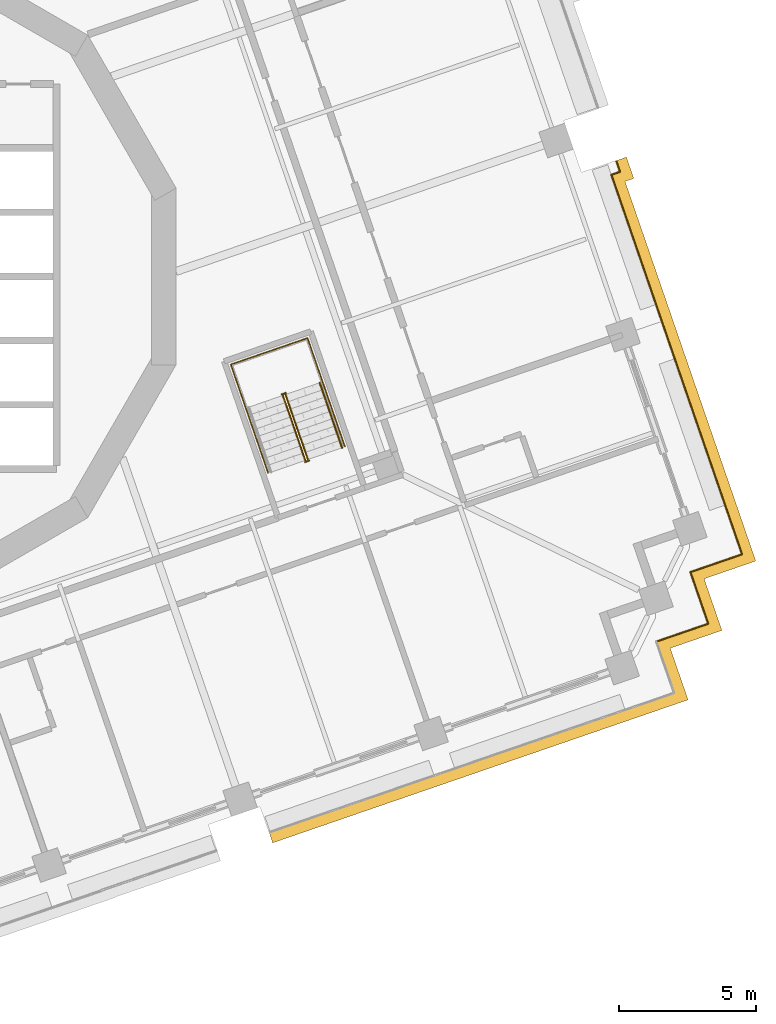
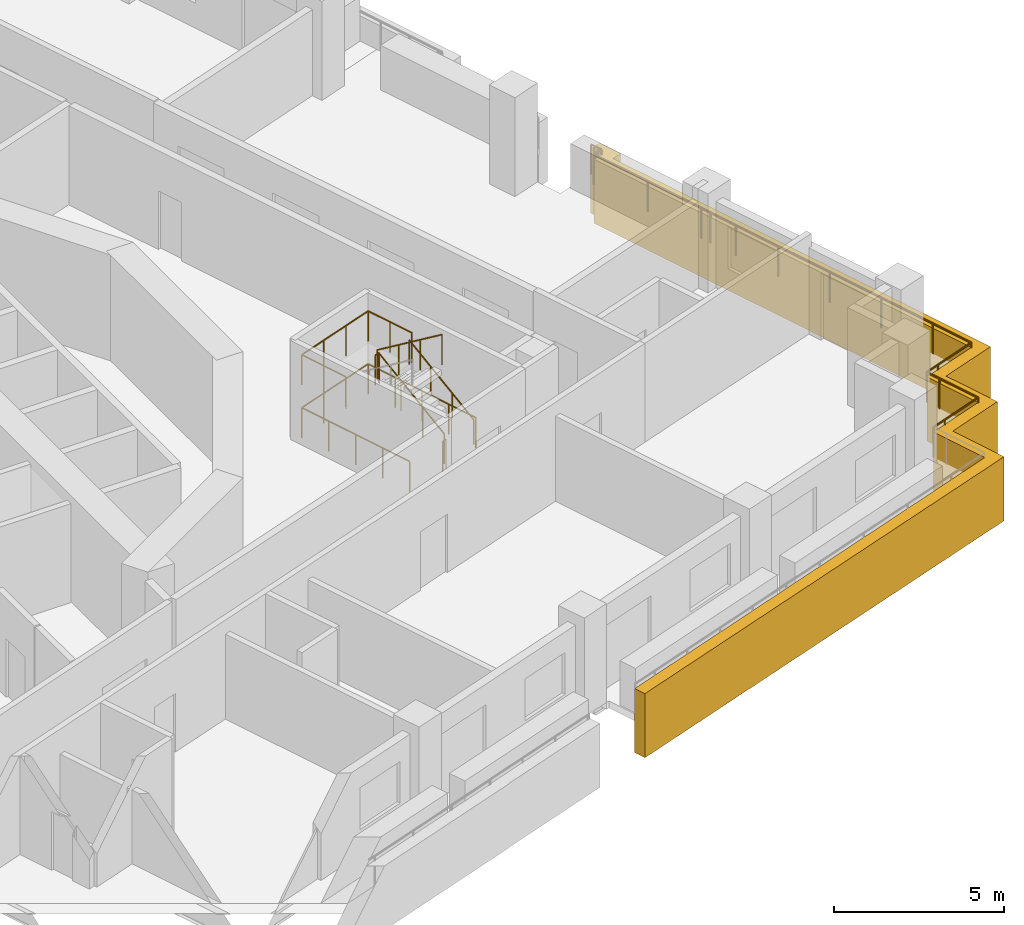
# One storey, part 15 of 19: 7 railings, 1 covering.
"""IFC4 building model written with IfcOpenShell, lengths in metres."""

from ifc_helpers import new_model, si_unit, direction, frame, origin, origin_2d, place, context, subcontext, project, spatial, polyline, circle, outline, extrude, material, type_object, element, save


model = new_model("IFC4")

# Units and contexts
model_context = context("Model", 3, precision=1e-05, world=origin(), true_north=direction((0.0, 1.0)))
body_context = subcontext(model_context, "Body", "Model", "MODEL_VIEW")
ifc_project = project(units=[si_unit("LENGTHUNIT", "METRE"), si_unit("AREAUNIT", "SQUARE_METRE"), si_unit("VOLUMEUNIT", "CUBIC_METRE"), si_unit("PLANEANGLEUNIT", "RADIAN"), si_unit("MASSUNIT", "GRAM", prefix="KILO")], contexts=[model_context])

# Site, building, storey
site_placement = place(None, origin())
site = spatial("IfcSite", under=ifc_project, at=site_placement, CompositionType="ELEMENT")
building_placement = place(site_placement, origin())
building = spatial("IfcBuilding", under=site, at=building_placement, Name="Cantera Rosa Tower", CompositionType="ELEMENT")
storey_placement = place(building_placement, frame((0.0, 0.0, 111.699951171875)))
storey = spatial("IfcBuildingStorey", under=building, at=storey_placement, Name="L22", CompositionType="ELEMENT", Elevation=111.699951171875)

# Railings
ifc_material_1 = material(Name="Stainless steel and laminated glass", Category="steel")
railing_type_1 = type_object("IfcRailingType", Name="GUARD 1100", PredefinedType="BALUSTRADE", material=ifc_material_1)
railing_1_placement = place(storey_placement, frame((28.19873046875, 4.220458984375, 0.0)))
element("IfcRailing", 1, at=railing_1_placement, inside=storey, type_object=railing_type_1, Name="GUARD L22-11", PredefinedType="BALUSTRADE", context=body_context, shape_type="SweptSolid", body=[
    extrude(circle(Radius=0.030029296875, at=origin_2d()), frame((0.0, 0.0, 1.070068359375), z_axis=(0.325990683319, -0.945372981626, 0.0), x_axis=(0.945372981626, 0.325990683319, 0.0)), (0.0, 0.0, 1.0), 0.119873046875),
    extrude(circle(Radius=0.030029296875, at=origin_2d()), frame((0.0390625, -0.11328125, 1.070068359375), z_axis=(0.325329542318, -0.945600702673, 0.0), x_axis=(0.945600702673, 0.325329542318, 0.0)), (0.0, 0.0, 1.0), 0.136474609375),
    extrude(circle(Radius=0.030029296875, at=origin_2d()), frame((0.08349609375, -0.242431640625, 1.070068359375), z_axis=(0.325489086777, -0.945545797087, 0.0), x_axis=(0.945545797087, 0.325489086777, 0.0)), (0.0, 0.0, 1.0), 0.14990234375),
    extrude(circle(Radius=0.030029296875, at=origin_2d()), frame((0.13232421875, -0.38427734375, 1.070068359375), z_axis=(-0.945640474278, -0.325213919454, 0.0), x_axis=(0.325213919454, -0.945640474278, 0.0)), (0.0, 0.0, 1.0), 0.203369140625),
    extrude(circle(Radius=0.030029296875, at=origin_2d()), frame((-0.06005859375, -0.450439453125, 1.070068359375), z_axis=(-0.945232545, -0.326397665239, 0.0), x_axis=(0.326397665239, -0.945232545, 0.0)), (0.0, 0.0, 1.0), 0.12939453125),
    extrude(circle(Radius=0.030029296875, at=origin_2d()), frame((-0.182373046875, -0.49267578125, 1.070068359375), z_axis=(-0.933345606203, -0.358979079309, 0.0), x_axis=(0.358979079309, -0.933345606203, 0.0)), (0.0, 0.0, 1.0), 0.00341796875),
    extrude(circle(Radius=0.030029296875, at=origin_2d()), frame((-0.185546875, -0.493896484375, 1.070068359375), z_axis=(0.242535625036, -0.970142500145, 0.0), x_axis=(0.970142500145, 0.242535625036, 0.0)), (0.0, 0.0, 1.0), 0.0029296875),
    extrude(circle(Radius=0.030029296875, at=origin_2d()), frame((-0.184814453125, -0.496826171875, 1.070068359375), z_axis=(0.32558569415, -0.945512536017, 0.0), x_axis=(0.945512536017, 0.32558569415, 0.0)), (0.0, 0.0, 1.0), 4.180419921875),
    extrude(circle(Radius=0.030029296875, at=origin_2d()), frame((1.17626953125, -4.449462890625, 1.070068359375), z_axis=(0.325543329663, -0.945527123097, 0.0), x_axis=(0.945527123097, 0.325543329663, 0.0)), (0.0, 0.0, 1.0), 0.353271484375),
    extrude(circle(Radius=0.030029296875, at=origin_2d()), frame((1.291259765625, -4.783447265625, 1.070068359375), z_axis=(0.325545250672, -0.945526461695, 0.0), x_axis=(0.945526461695, 0.325545250672, 0.0)), (0.0, 0.0, 1.0), 0.99658203125),
    extrude(circle(Radius=0.030029296875, at=origin_2d()), frame((1.61572265625, -5.725830078125, 1.070068359375), z_axis=(0.4472135955, -0.894427191, 0.0), x_axis=(0.894427191, 0.4472135955, 0.0)), (0.0, 0.0, 1.0), 0.00048828125),
    extrude(circle(Radius=0.030029296875, at=origin_2d()), frame((1.615966796875, -5.726318359375, 1.070068359375), z_axis=(0.325493414498, -0.945544307327, 0.0), x_axis=(0.945544307327, 0.325493414498, 0.0)), (0.0, 0.0, 1.0), 1.6494140625),
    extrude(circle(Radius=0.030029296875, at=origin_2d()), frame((2.15283203125, -7.285888671875, 1.070068359375), z_axis=(0.325568215952, -0.945518554425, 0.0), x_axis=(0.945518554425, 0.325568215952, 0.0)), (0.0, 0.0, 1.0), 6.02001953125),
    extrude(circle(Radius=0.030029296875, at=origin_2d()), frame((4.11279296875, -12.97802734375, 1.070068359375), z_axis=(0.325539181077, -0.945528551438, 0.0), x_axis=(0.945528551438, 0.325539181077, 0.0)), (0.0, 0.0, 1.0), 1.5),
    extrude(circle(Radius=0.030029296875, at=origin_2d()), frame((4.60107421875, -14.396240234375, 1.070068359375), z_axis=(-0.945528551438, -0.325539181077, 0.0), x_axis=(0.325539181077, -0.945528551438, 0.0)), (0.0, 0.0, 1.0), 1.5),
    extrude(circle(Radius=0.030029296875, at=origin_2d()), frame((3.182861328125, -14.884521484375, 1.070068359375), z_axis=(-0.945461173218, -0.32573481536, 0.0), x_axis=(0.32573481536, -0.945461173218, 0.0)), (0.0, 0.0, 1.0), 0.5),
    extrude(circle(Radius=0.030029296875, at=origin_2d()), frame((2.710205078125, -15.04736328125, 1.070068359375), z_axis=(0.325147989177, -0.945663145699, 0.0), x_axis=(0.945663145699, 0.325147989177, 0.0)), (0.0, 0.0, 1.0), 0.5),
    extrude(circle(Radius=0.030029296875, at=origin_2d()), frame((2.872802734375, -15.520263671875, 1.070068359375), z_axis=(0.325684689469, -0.945478441343, 0.0), x_axis=(0.945478441343, 0.325684689469, 0.0)), (0.0, 0.0, 1.0), 1.5),
    extrude(circle(Radius=0.030029296875, at=origin_2d()), frame((3.361328125, -16.9384765625, 1.070068359375), z_axis=(-0.945545797087, -0.325489086777, 0.0), x_axis=(0.325489086777, -0.945545797087, 0.0)), (0.0, 0.0, 1.0), 1.500244140625),
    extrude(circle(Radius=0.030029296875, at=origin_2d()), frame((1.94287109375, -17.4267578125, 1.070068359375), z_axis=(-0.945461173218, -0.32573481536, 0.0), x_axis=(0.32573481536, -0.945461173218, 0.0)), (0.0, 0.0, 1.0), 0.5),
    extrude(circle(Radius=0.02490234375, at=origin_2d()), origin(), (0.0, 0.0, 1.0), 1.0400390625),
    extrude(circle(Radius=0.02490234375, at=origin_2d()), frame((0.0390625, -0.11328125, 0.0)), (0.0, 0.0, 1.0), 1.0400390625),
    extrude(circle(Radius=0.02490234375, at=origin_2d()), frame((0.08349609375, -0.242431640625, 0.0)), (0.0, 0.0, 1.0), 1.0400390625),
    extrude(circle(Radius=0.02490234375, at=origin_2d()), frame((0.13232421875, -0.38427734375, 0.0)), (0.0, 0.0, 1.0), 1.0400390625),
    extrude(circle(Radius=0.02490234375, at=origin_2d()), frame((-0.06005859375, -0.450439453125, 0.0)), (0.0, 0.0, 1.0), 1.0400390625),
    extrude(circle(Radius=0.02490234375, at=origin_2d()), frame((-0.182373046875, -0.49267578125, 0.0)), (0.0, 0.0, 1.0), 1.0400390625),
    extrude(circle(Radius=0.02490234375, at=origin_2d()), frame((-0.185546875, -0.493896484375, 0.0)), (0.0, 0.0, 1.0), 1.0400390625),
    extrude(circle(Radius=0.02490234375, at=origin_2d()), frame((-0.184814453125, -0.496826171875, 0.0)), (0.0, 0.0, 1.0), 1.0400390625),
    extrude(circle(Radius=0.02490234375, at=origin_2d()), frame((0.49560546875, -2.47314453125, 0.0)), (0.0, 0.0, 1.0), 1.0400390625),
    extrude(circle(Radius=0.02490234375, at=origin_2d()), frame((1.17626953125, -4.449462890625, 0.0)), (0.0, 0.0, 1.0), 1.0400390625),
    extrude(circle(Radius=0.02490234375, at=origin_2d()), frame((1.291259765625, -4.783447265625, 0.0)), (0.0, 0.0, 1.0), 1.0400390625),
    extrude(circle(Radius=0.02490234375, at=origin_2d()), frame((1.61572265625, -5.725830078125, 0.0)), (0.0, 0.0, 1.0), 1.0400390625),
    extrude(circle(Radius=0.02490234375, at=origin_2d()), frame((1.615966796875, -5.726318359375, 0.0)), (0.0, 0.0, 1.0), 1.0400390625),
    extrude(circle(Radius=0.02490234375, at=origin_2d()), frame((2.15283203125, -7.285888671875, 0.0)), (0.0, 0.0, 1.0), 1.0400390625),
    extrude(circle(Radius=0.02490234375, at=origin_2d()), frame((2.80615234375, -9.183349609375, 0.0)), (0.0, 0.0, 1.0), 1.0400390625),
    extrude(circle(Radius=0.02490234375, at=origin_2d()), frame((3.45947265625, -11.08056640625, 0.0)), (0.0, 0.0, 1.0), 1.0400390625),
    extrude(circle(Radius=0.02490234375, at=origin_2d()), frame((4.11279296875, -12.97802734375, 0.0)), (0.0, 0.0, 1.0), 1.0400390625),
    extrude(circle(Radius=0.02490234375, at=origin_2d()), frame((4.60107421875, -14.396240234375, 0.0)), (0.0, 0.0, 1.0), 1.0400390625),
    extrude(circle(Radius=0.02490234375, at=origin_2d()), frame((3.182861328125, -14.884521484375, 0.0)), (0.0, 0.0, 1.0), 1.0400390625),
    extrude(circle(Radius=0.02490234375, at=origin_2d()), frame((2.710205078125, -15.04736328125, 0.0)), (0.0, 0.0, 1.0), 1.0400390625),
    extrude(circle(Radius=0.02490234375, at=origin_2d()), frame((2.872802734375, -15.520263671875, 0.0)), (0.0, 0.0, 1.0), 1.0400390625),
    extrude(circle(Radius=0.02490234375, at=origin_2d()), frame((3.361328125, -16.9384765625, 0.0)), (0.0, 0.0, 1.0), 1.0400390625),
    extrude(circle(Radius=0.02490234375, at=origin_2d()), frame((1.94287109375, -17.4267578125, 0.0)), (0.0, 0.0, 1.0), 1.0400390625),
    extrude(circle(Radius=0.02490234375, at=origin_2d()), frame((1.47021484375, -17.589599609375, 0.0)), (0.0, 0.0, 1.0), 1.0400390625),
])
ifc_material_2 = material(Name="Steel S355J2 (EN 10025-2)", Category="steel")
railing_type_2 = type_object("IfcRailingType", Name="STAIR GUARD 1100", PredefinedType="GUARDRAIL", material=ifc_material_2)
railing_2_placement = place(storey_placement, frame((16.902099609375, -6.707763671875, 0.18994140625)))
element("IfcRailing", 2, at=railing_2_placement, inside=storey, type_object=railing_type_2, Name="L22 ST-23 stair guard 1", PredefinedType="GUARDRAIL", context=body_context, shape_type="SweptSolid", body=[
    extrude(circle(Radius=0.02392578125, at=origin_2d()), frame((0.0, 0.0, 1.076171875), z_axis=(-0.269345946519, 0.782385844651, 0.561538201002), x_axis=(-0.945537585866, -0.325512939397, 0.0)), (0.0, 0.0, 1.0), 3.045654296875),
    extrude(circle(Radius=0.02392578125, at=origin_2d()), frame((-0.8203125, 2.3828125, 2.7861328125), z_axis=(0.147491890402, 0.989063265047, 0.0), x_axis=(-0.989063265047, 0.147491890402, 0.0)), (0.0, 0.0, 1.0), 0.056396484375),
    extrude(circle(Radius=0.02392578125, at=origin_2d()), frame((-0.81201171875, 2.4384765625, 2.7861328125), z_axis=(-0.945545797087, -0.325489086777, 0.0), x_axis=(0.325489086777, -0.945545797087, 0.0)), (0.0, 0.0, 1.0), 0.14990234375),
    extrude(circle(Radius=0.02099609375, at=origin_2d()), origin(), (0.0, 0.0, 1.0), 1.052001953125),
    extrude(circle(Radius=0.02099609375, at=origin_2d()), frame((-0.2734375, 0.794189453125, 0.570068359375)), (0.0, 0.0, 1.0), 1.052001953125),
    extrude(circle(Radius=0.02099609375, at=origin_2d()), frame((-0.546875, 1.588623046875, 1.14013671875)), (0.0, 0.0, 1.0), 1.052001953125),
    extrude(circle(Radius=0.02099609375, at=origin_2d()), frame((-0.8203125, 2.3828125, 1.710205078125)), (0.0, 0.0, 1.0), 1.052001953125),
    extrude(circle(Radius=0.02099609375, at=origin_2d()), frame((-0.81201171875, 2.4384765625, 1.710205078125)), (0.0, 0.0, 1.0), 1.052001953125),
    extrude(circle(Radius=0.02099609375, at=origin_2d()), frame((-0.953857421875, 2.3896484375, 1.710205078125)), (0.0, 0.0, 1.0), 1.052001953125),
])
railing_3_placement = place(storey_placement, frame((15.989013671875, -4.35693359375, 2.090087890625)))
element("IfcRailing", 3, at=railing_3_placement, inside=storey, type_object=railing_type_2, Name="L22 ST-23 stair guard 2", PredefinedType="GUARDRAIL", context=body_context, shape_type="SweptSolid", body=[
    extrude(circle(Radius=0.02392578125, at=origin_2d()), frame((0.0, 0.0, 1.076171875), z_axis=(0.269432418223, -0.782404165978, 0.561471186323), x_axis=(0.94550776501, 0.325599548996, 0.0)), (0.0, 0.0, 1.0), 3.04541015625),
    extrude(circle(Radius=0.02099609375, at=origin_2d()), origin(), (0.0, 0.0, 1.0), 1.052001953125),
    extrude(circle(Radius=0.02099609375, at=origin_2d()), frame((0.2734375, -0.794189453125, 0.570068359375)), (0.0, 0.0, 1.0), 1.052001953125),
    extrude(circle(Radius=0.02099609375, at=origin_2d()), frame((0.547119140625, -1.588623046875, 1.139892578125)), (0.0, 0.0, 1.0), 1.052001953125),
    extrude(circle(Radius=0.02099609375, at=origin_2d()), frame((0.820556640625, -2.3828125, 1.7099609375)), (0.0, 0.0, 1.0), 1.052001953125),
])
railing_4_placement = place(storey_placement, frame((16.94287109375, -6.74658203125, 0.0)))
element("IfcRailing", 4, at=railing_4_placement, inside=storey, type_object=railing_type_2, Name="L22 ST-23 stair guard 3", PredefinedType="GUARDRAIL", context=body_context, shape_type="SweptSolid", body=[
    extrude(circle(Radius=0.02392578125, at=origin_2d()), frame((0.0, 0.0, 1.076171875), z_axis=(-0.945372981626, -0.325990683319, 0.0), x_axis=(0.325990683319, -0.945372981626, 0.0)), (0.0, 0.0, 1.0), 0.14990234375),
    extrude(circle(Radius=0.02099609375, at=origin_2d()), origin(), (0.0, 0.0, 1.0), 1.052001953125),
    extrude(circle(Radius=0.02099609375, at=origin_2d()), frame((-0.1416015625, -0.048828125, 0.0)), (0.0, 0.0, 1.0), 1.052001953125),
])
railing_5_placement = place(storey_placement, frame((18.256103515625, -6.22900390625, 0.0)))
element("IfcRailing", 5, at=railing_5_placement, inside=storey, type_object=railing_type_2, Name="L22 ST-23 stair guard 4", PredefinedType="GUARDRAIL", context=body_context, shape_type="SweptSolid", body=[
    extrude(circle(Radius=0.02392578125, at=origin_2d()), frame((0.0, 0.0, 1.076171875), z_axis=(-0.3255981694, 0.945508240093, 0.0), x_axis=(-0.945508240093, -0.3255981694, 0.0)), (0.0, 0.0, 1.0), 4.1982421875),
    extrude(circle(Radius=0.02392578125, at=origin_2d()), frame((-1.366943359375, 3.969482421875, 1.076171875), z_axis=(-0.945504814226, -0.325608117645, 0.0), x_axis=(0.325608117645, -0.945504814226, 0.0)), (0.0, 0.0, 1.0), 2.969970703125),
    extrude(circle(Radius=0.02392578125, at=origin_2d()), frame((-4.175048828125, 3.00244140625, 1.076171875), z_axis=(0.325564081496, -0.945519978022, 0.0), x_axis=(0.945519978022, 0.325564081496, 0.0)), (0.0, 0.0, 1.0), 4.197998046875),
    extrude(circle(Radius=0.02099609375, at=origin_2d()), origin(), (0.0, 0.0, 1.0), 1.052001953125),
    extrude(circle(Radius=0.02099609375, at=origin_2d()), frame((-0.341796875, 0.992431640625, 0.0)), (0.0, 0.0, 1.0), 1.052001953125),
    extrude(circle(Radius=0.02099609375, at=origin_2d()), frame((-0.68359375, 1.98486328125, 0.0)), (0.0, 0.0, 1.0), 1.052001953125),
    extrude(circle(Radius=0.02099609375, at=origin_2d()), frame((-1.025146484375, 2.97705078125, 0.0)), (0.0, 0.0, 1.0), 1.052001953125),
    extrude(circle(Radius=0.02099609375, at=origin_2d()), frame((-1.366943359375, 3.969482421875, 0.0)), (0.0, 0.0, 1.0), 1.052001953125),
    extrude(circle(Radius=0.02099609375, at=origin_2d()), frame((-2.302978515625, 3.647216796875, 0.0)), (0.0, 0.0, 1.0), 1.052001953125),
    extrude(circle(Radius=0.02099609375, at=origin_2d()), frame((-3.239013671875, 3.32470703125, 0.0)), (0.0, 0.0, 1.0), 1.052001953125),
    extrude(circle(Radius=0.02099609375, at=origin_2d()), frame((-4.175048828125, 3.00244140625, 0.0)), (0.0, 0.0, 1.0), 1.052001953125),
    extrude(circle(Radius=0.02099609375, at=origin_2d()), frame((-3.83349609375, 2.01025390625, 0.0)), (0.0, 0.0, 1.0), 1.052001953125),
    extrude(circle(Radius=0.02099609375, at=origin_2d()), frame((-3.49169921875, 1.017822265625, 0.0)), (0.0, 0.0, 1.0), 1.052001953125),
    extrude(circle(Radius=0.02099609375, at=origin_2d()), frame((-3.14990234375, 0.025390625, 0.0)), (0.0, 0.0, 1.0), 1.052001953125),
    extrude(circle(Radius=0.02099609375, at=origin_2d()), frame((-2.808349609375, -0.966796875, 0.0)), (0.0, 0.0, 1.0), 1.052001953125),
])
railing_6_placement = place(storey_placement, frame((17.443359375, -3.868896484375, 1.900146484375)))
element("IfcRailing", 6, at=railing_6_placement, inside=storey, type_object=railing_type_2, Name="L22 ST-23 stair guard 5", PredefinedType="GUARDRAIL", context=body_context, shape_type="SweptSolid", body=[
    extrude(circle(Radius=0.02392578125, at=origin_2d()), frame((0.0, 0.0, 1.076171875), z_axis=(-0.32559282233, 0.94551008141, 0.0), x_axis=(-0.94551008141, -0.32559282233, 0.0)), (0.0, 0.0, 1.0), 1.7021484375),
    extrude(circle(Radius=0.02392578125, at=origin_2d()), frame((-0.55419921875, 1.609375, 1.076171875), z_axis=(-0.945504814226, -0.325608117645, 0.0), x_axis=(0.325608117645, -0.945504814226, 0.0)), (0.0, 0.0, 1.0), 2.969970703125),
    extrude(circle(Radius=0.02392578125, at=origin_2d()), frame((-3.3623046875, 0.642333984375, 1.076171875), z_axis=(0.32559282233, -0.94551008141, 0.0), x_axis=(0.94551008141, 0.32559282233, 0.0)), (0.0, 0.0, 1.0), 1.7021484375),
    extrude(circle(Radius=0.02099609375, at=origin_2d()), origin(), (0.0, 0.0, 1.0), 1.052001953125),
    extrude(circle(Radius=0.02099609375, at=origin_2d()), frame((-0.277099609375, 0.8046875, 0.0)), (0.0, 0.0, 1.0), 1.052001953125),
    extrude(circle(Radius=0.02099609375, at=origin_2d()), frame((-0.55419921875, 1.609375, 0.0)), (0.0, 0.0, 1.0), 1.052001953125),
    extrude(circle(Radius=0.02099609375, at=origin_2d()), frame((-1.490234375, 1.287109375, 0.0)), (0.0, 0.0, 1.0), 1.052001953125),
    extrude(circle(Radius=0.02099609375, at=origin_2d()), frame((-2.42626953125, 0.964599609375, 0.0)), (0.0, 0.0, 1.0), 1.052001953125),
    extrude(circle(Radius=0.02099609375, at=origin_2d()), frame((-3.3623046875, 0.642333984375, 0.0)), (0.0, 0.0, 1.0), 1.052001953125),
    extrude(circle(Radius=0.02099609375, at=origin_2d()), frame((-3.085205078125, -0.162353515625, 0.0)), (0.0, 0.0, 1.0), 1.052001953125),
    extrude(circle(Radius=0.02099609375, at=origin_2d()), frame((-2.80810546875, -0.967041015625, 0.0)), (0.0, 0.0, 1.0), 1.052001953125),
])
ifc_material_3 = material(Name="Steel S355J2 (EN 10025-2)", Category="steel")
railing_type_3 = type_object("IfcRailingType", Name="STAIR HANDRAIL 900", PredefinedType="HANDRAIL", material=ifc_material_3)
railing_7_placement = place(storey_placement, frame((18.15576171875, -6.276123046875, 0.18994140625)))
element("IfcRailing", 7, at=railing_7_placement, inside=storey, type_object=railing_type_3, Name="L22 ST-23 stair handrail 1", PredefinedType="HANDRAIL", context=body_context, shape_type="SweptSolid", body=[
    extrude(circle(Radius=0.02392578125, at=origin_2d()), frame((0.0, 0.0, 0.8759765625), z_axis=(-0.269345946519, 0.782385844651, 0.561538201002), x_axis=(-0.945537585866, -0.325512939397, 0.0)), (0.0, 0.0, 1.0), 3.045654296875),
    extrude(circle(Radius=0.02099609375, at=origin_2d()), origin(), (0.0, 0.0, 1.0), 0.851806640625),
    extrude(circle(Radius=0.02099609375, at=origin_2d()), frame((-0.2734375, 0.794189453125, 0.570068359375)), (0.0, 0.0, 1.0), 0.851806640625),
    extrude(circle(Radius=0.02099609375, at=origin_2d()), frame((-0.546875, 1.588623046875, 1.14013671875)), (0.0, 0.0, 1.0), 0.851806640625),
    extrude(circle(Radius=0.02099609375, at=origin_2d()), frame((-0.8203125, 2.3828125, 1.710205078125)), (0.0, 0.0, 1.0), 0.851806640625),
])

# Covering
ifc_material_4 = material(Name="Cantera stone", Category="masonry")
covering_type = type_object("IfcCoveringType", Name="TRAY FASCIA 400", PredefinedType="CLADDING", material=ifc_material_4)
covering_placement = place(storey_placement, frame((0.0, 0.0, -1.39990234375)))
element("IfcCovering", 8, at=covering_placement, inside=storey, type_object=covering_type, Name="TRAY FASCIA L22-06", PredefinedType="CLADDING", context=body_context, shape_type="SweptSolid", body=[
    extrude(outline(polyline([(28.839599609375, 3.588134765625), (28.521240234375, 3.478759765625), (29.753173828125, -0.0986328125), (30.729736328125, -2.935302734375), (32.689697265625, -8.627197265625), (33.308349609375, -10.423828125), (31.511962890625, -11.042236328125), (31.417236328125, -11.074951171875), (31.449951171875, -11.16943359375), (32.068359375, -12.966064453125), (30.27197265625, -13.58447265625), (30.177490234375, -13.6171875), (30.2099609375, -13.711669921875), (30.82861328125, -15.508056640625), (29.031982421875, -16.126708984375), (23.453369140625, -18.047607421875), (20.616943359375, -19.024169921875), (16.45654296875, -20.456787109375), (15.615234375, -20.74658203125), (15.48486328125, -20.368408203125), (16.326416015625, -20.07861328125), (20.48681640625, -18.64599609375), (23.3232421875, -17.66943359375), (28.90185546875, -15.74853515625), (30.320068359375, -15.26025390625), (29.831787109375, -13.841796875), (29.6689453125, -13.369140625), (30.1416015625, -13.206298828125), (31.56005859375, -12.718017578125), (31.071533203125, -11.2998046875), (30.908935546875, -10.826904296875), (31.381591796875, -10.6640625), (32.7998046875, -10.17578125), (32.3115234375, -8.757568359375), (30.3515625, -3.0654296875), (29.375, -0.22900390625), (28.012939453125, 3.7265625), (28.3310546875, 3.836181640625), (28.192138671875, 4.239501953125), (28.570556640625, 4.36962890625), (28.839599609375, 3.588134765625)])), origin(), (0.0, 0.0, 1.0), 2.300048828125),
])

save(model, "model.ifc")
